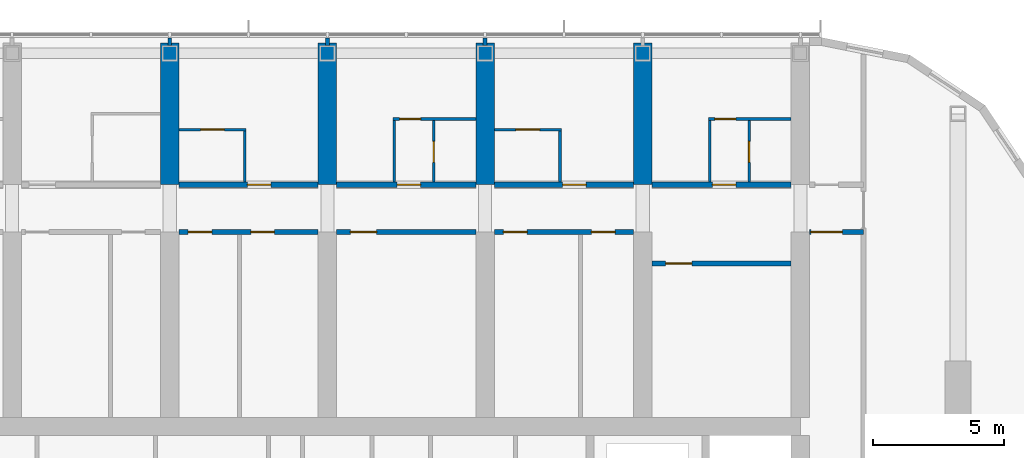
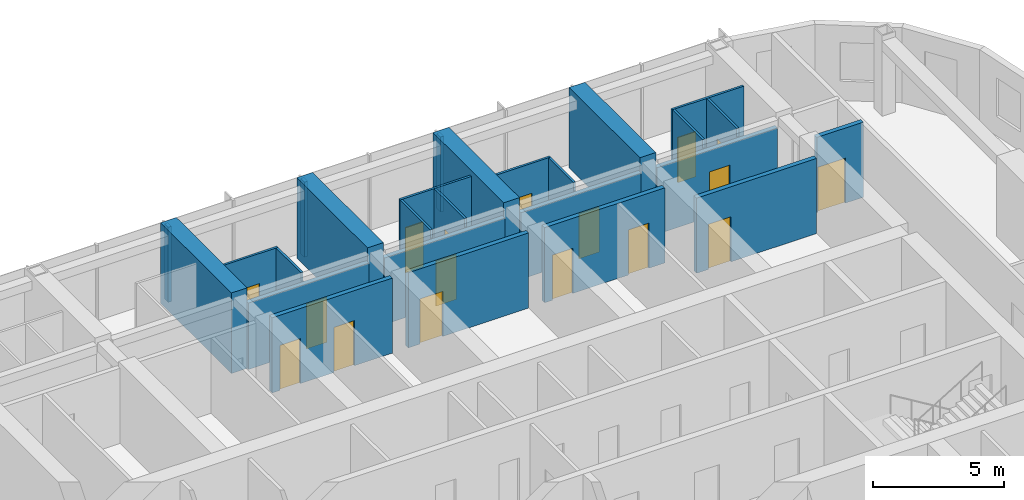
# One storey, part 17 of 23: 26 walls, 17 doors, 17 openings.
"""IFC4 building model written with IfcOpenShell, lengths in metres."""

from ifc_helpers import new_model, si_unit, direction, frame, frame_2d, origin, place, context, subcontext, project, spatial, polyline, rectangle, outline, extrude, material, layer, layer_set, type_object, element, fill, save


model = new_model("IFC4")

# Units and contexts
model_context = context("Model", 3, precision=1e-05, world=origin(), true_north=direction((0.0, 1.0)))
body_context = subcontext(model_context, "Body", "Model", "MODEL_VIEW")
ifc_project = project(units=[si_unit("LENGTHUNIT", "METRE"), si_unit("AREAUNIT", "SQUARE_METRE"), si_unit("VOLUMEUNIT", "CUBIC_METRE"), si_unit("PLANEANGLEUNIT", "RADIAN"), si_unit("MASSUNIT", "GRAM", prefix="KILO")], contexts=[model_context])

# Site, building, storey
site_placement = place(None, origin())
site = spatial("IfcSite", under=ifc_project, at=site_placement, CompositionType="ELEMENT")
building_placement = place(site_placement, origin())
building = spatial("IfcBuilding", under=site, at=building_placement, Name="Orbita Commons", CompositionType="ELEMENT")
storey_placement = place(building_placement, frame((0.0, 0.0, 224.050048828125)))
storey = spatial("IfcBuildingStorey", under=building, at=storey_placement, Name="L55", CompositionType="ELEMENT", Elevation=224.050048828125)

# Wall, opening, door
ifc_material_1 = material(Name="Concrete blockwork", Category="masonry")
ifc_layer_1 = layer(ifc_material_1, 0.199951171875)
ifc_layer_set_1 = layer_set([ifc_layer_1], Name="Concrete blockwork")
wall_type_1 = type_object("IfcWallType", Name="Corridor wall 200 blockwork", PredefinedType="SOLIDWALL", material=ifc_layer_set_1)
wall_1_placement = place(storey_placement, frame((42.35009765625, 47.39990234375, 0.0), z_axis=(0.0, 0.0, 1.0), x_axis=(1.0, 0.0, 0.0)))
wall_1 = element("IfcWall", 1, at=wall_1_placement, inside=storey, type_object=wall_type_1, Name="Corridor wall 200 blockwork L55", PredefinedType="SOLIDWALL", context=body_context, shape_type="SweptSolid", body=[
    extrude(outline(polyline([(0.0, 0.0), (5.2998046875, 0.0), (5.300048828125, 3.099853515625), (0.0, 3.099853515625), (0.0, 0.0)])), frame((0.0, 0.10009765625, 0.0), z_axis=(0.0, -1.0, 0.0), x_axis=(1.0, 0.0, 0.0)), (0.0, 0.0, 1.0), 0.199951171875),
])
opening_1_placement = place(wall_1_placement, frame((2.60009765625, 0.0, 0.0)))
opening_1 = element("IfcOpeningElement", 2, at=opening_1_placement, cuts=wall_1, Name="Opening D11", PredefinedType="OPENING", context=body_context, shape_type="SweptSolid", body=[
    extrude(rectangle(XDim=0.89990234375, YDim=2.10009765625, at=frame_2d((0.449951171875, 1.050048828125))), frame((0.0, 0.10986328125, 0.0), z_axis=(0.0, -1.0, 0.0), x_axis=(1.0, 0.0, 0.0)), (0.0, 0.0, 1.0), 0.219970703125),
])
ifc_material_2 = material(Name="Steel-faced fire door leaf", Category="steel")
door_type_1 = type_object("IfcDoorType", Name="Corridor door 20 min 900x2100", OperationType="SINGLE_SWING_LEFT", PredefinedType="DOOR", material=ifc_material_2)
door_1_placement = place(opening_1_placement, origin())
door_1 = element("IfcDoor", 3, at=door_1_placement, inside=storey, type_object=door_type_1, Name="Studio apartment with kitchenette L55-N08 door", OperationType="SINGLE_SWING_LEFT", OverallHeight=2.10009765625, OverallWidth=0.89990234375, PredefinedType="DOOR", context=body_context, shape_type="SweptSolid", body=[
    extrude(rectangle(XDim=0.89990234375, YDim=2.10009765625, at=frame_2d((0.449951171875, 1.050048828125))), frame((0.0, 0.02490234375, 0.0), z_axis=(0.0, -1.0, 0.0), x_axis=(1.0, 0.0, 0.0)), (0.0, 0.0, 1.0), 0.050048828125),
])
fill(opening_1, door_1)

wall_2_placement = place(storey_placement, frame((48.35009765625, 47.39990234375, 0.0), z_axis=(0.0, 0.0, 1.0), x_axis=(1.0, 0.0, 0.0)))
wall_2 = element("IfcWall", 4, at=wall_2_placement, inside=storey, type_object=wall_type_1, Name="Corridor wall 200 blockwork L55", PredefinedType="SOLIDWALL", context=body_context, shape_type="SweptSolid", body=[
    extrude(outline(polyline([(0.0, 0.0), (5.2998046875, 0.0), (5.300048828125, 3.099853515625), (0.0, 3.099853515625), (0.0, 0.0)])), frame((0.0, 0.10009765625, 0.0), z_axis=(0.0, -1.0, 0.0), x_axis=(1.0, 0.0, 0.0)), (0.0, 0.0, 1.0), 0.199951171875),
])
opening_2_placement = place(wall_2_placement, frame((2.300048828125, 0.0, 0.0)))
opening_2 = element("IfcOpeningElement", 5, at=opening_2_placement, cuts=wall_2, Name="Opening D11", PredefinedType="OPENING", context=body_context, shape_type="SweptSolid", body=[
    extrude(rectangle(XDim=0.89990234375, YDim=2.10009765625, at=frame_2d((0.449951171875, 1.050048828125))), frame((0.0, 0.10986328125, 0.0), z_axis=(0.0, -1.0, 0.0), x_axis=(1.0, 0.0, 0.0)), (0.0, 0.0, 1.0), 0.219970703125),
])
door_2_placement = place(opening_2_placement, origin())
door_2 = element("IfcDoor", 6, at=door_2_placement, inside=storey, type_object=door_type_1, Name="Studio flat L55-N10 entrance door", OperationType="SINGLE_SWING_LEFT", OverallHeight=2.10009765625, OverallWidth=0.89990234375, PredefinedType="DOOR", context=body_context, shape_type="SweptSolid", body=[
    extrude(rectangle(XDim=0.89990234375, YDim=2.10009765625, at=frame_2d((0.449951171875, 1.050048828125))), frame((0.0, 0.02490234375, 0.0), z_axis=(0.0, -1.0, 0.0), x_axis=(1.0, 0.0, 0.0)), (0.0, 0.0, 1.0), 0.050048828125),
])
fill(opening_2, door_2)

wall_3_placement = place(storey_placement, frame((54.35009765625, 47.39990234375, 0.0), z_axis=(0.0, 0.0, 1.0), x_axis=(1.0, 0.0, 0.0)))
wall_3 = element("IfcWall", 7, at=wall_3_placement, inside=storey, type_object=wall_type_1, Name="Corridor wall 200 blockwork L55", PredefinedType="SOLIDWALL", context=body_context, shape_type="SweptSolid", body=[
    extrude(outline(polyline([(0.0, 0.0), (5.2998046875, 0.0), (5.300048828125, 3.099853515625), (0.0, 3.099853515625), (0.0, 0.0)])), frame((0.0, 0.10009765625, 0.0), z_axis=(0.0, -1.0, 0.0), x_axis=(1.0, 0.0, 0.0)), (0.0, 0.0, 1.0), 0.199951171875),
])
opening_3_placement = place(wall_3_placement, frame((2.60009765625, 0.0, 0.0)))
opening_3 = element("IfcOpeningElement", 8, at=opening_3_placement, cuts=wall_3, Name="Opening D11", PredefinedType="OPENING", context=body_context, shape_type="SweptSolid", body=[
    extrude(rectangle(XDim=0.89990234375, YDim=2.10009765625, at=frame_2d((0.449951171875, 1.050048828125))), frame((0.0, 0.10986328125, 0.0), z_axis=(0.0, -1.0, 0.0), x_axis=(1.0, 0.0, 0.0)), (0.0, 0.0, 1.0), 0.219970703125),
])
door_3_placement = place(opening_3_placement, origin())
door_3 = element("IfcDoor", 9, at=door_3_placement, inside=storey, type_object=door_type_1, Name="Studio apartment with kitchenette L55-N12 door", OperationType="SINGLE_SWING_LEFT", OverallHeight=2.10009765625, OverallWidth=0.89990234375, PredefinedType="DOOR", context=body_context, shape_type="SweptSolid", body=[
    extrude(rectangle(XDim=0.89990234375, YDim=2.10009765625, at=frame_2d((0.449951171875, 1.050048828125))), frame((0.0, 0.02490234375, 0.0), z_axis=(0.0, -1.0, 0.0), x_axis=(1.0, 0.0, 0.0)), (0.0, 0.0, 1.0), 0.050048828125),
])
fill(opening_3, door_3)

wall_4_placement = place(storey_placement, frame((60.35009765625, 47.39990234375, 0.0), z_axis=(0.0, 0.0, 1.0), x_axis=(1.0, 0.0, 0.0)))
wall_4 = element("IfcWall", 10, at=wall_4_placement, inside=storey, type_object=wall_type_1, Name="Corridor wall 200 blockwork L55", PredefinedType="SOLIDWALL", context=body_context, shape_type="SweptSolid", body=[
    extrude(outline(polyline([(0.0, 0.0), (5.2998046875, 0.0), (5.300048828125, 3.099853515625), (0.0, 3.099853515625), (0.0, 0.0)])), frame((0.0, 0.10009765625, 0.0), z_axis=(0.0, -1.0, 0.0), x_axis=(1.0, 0.0, 0.0)), (0.0, 0.0, 1.0), 0.199951171875),
])
opening_4_placement = place(wall_4_placement, frame((2.300048828125, 0.0, 0.0)))
opening_4 = element("IfcOpeningElement", 11, at=opening_4_placement, cuts=wall_4, Name="Opening D11", PredefinedType="OPENING", context=body_context, shape_type="SweptSolid", body=[
    extrude(rectangle(XDim=0.89990234375, YDim=2.10009765625, at=frame_2d((0.449951171875, 1.050048828125))), frame((0.0, 0.10986328125, 0.0), z_axis=(0.0, -1.0, 0.0), x_axis=(1.0, 0.0, 0.0)), (0.0, 0.0, 1.0), 0.219970703125),
])
door_4_placement = place(opening_4_placement, origin())
door_4 = element("IfcDoor", 12, at=door_4_placement, inside=storey, type_object=door_type_1, Name="Studio flat L55-N14 entrance door", OperationType="SINGLE_SWING_LEFT", OverallHeight=2.10009765625, OverallWidth=0.89990234375, PredefinedType="DOOR", context=body_context, shape_type="SweptSolid", body=[
    extrude(rectangle(XDim=0.89990234375, YDim=2.10009765625, at=frame_2d((0.449951171875, 1.050048828125))), frame((0.0, 0.02490234375, 0.0), z_axis=(0.0, -1.0, 0.0), x_axis=(1.0, 0.0, 0.0)), (0.0, 0.0, 1.0), 0.050048828125),
])
fill(opening_4, door_4)

# Wall, openings, doors
ifc_material_3 = material(Name="Hollow concrete block 200", Category="concrete")
ifc_layer_2 = layer(ifc_material_3, 0.199951171875)
ifc_layer_set_2 = layer_set([ifc_layer_2], Name="Hollow concrete block 200")
wall_type_2 = type_object("IfcWallType", Name="Corridor wall 200 hollow concrete block", PredefinedType="SOLIDWALL", material=ifc_layer_set_2)
wall_5_placement = place(storey_placement, frame((42.35009765625, 45.60009765625, 0.0), z_axis=(0.0, 0.0, 1.0), x_axis=(1.0, 0.0, 0.0)))
wall_5 = element("IfcWall", 13, at=wall_5_placement, inside=storey, type_object=wall_type_2, Name="Corridor wall 200 hollow concrete block L55", PredefinedType="SOLIDWALL", context=body_context, shape_type="SweptSolid", body=[
    extrude(rectangle(XDim=5.2998046875, YDim=0.199951171875, at=frame_2d((2.64990234375, 0.0))), origin(), (0.0, 0.0, 1.0), 3.5),
])
opening_5_placement = place(wall_5_placement, frame((0.35009765625, 0.0, 0.0)))
opening_5 = element("IfcOpeningElement", 14, at=opening_5_placement, cuts=wall_5, Name="Opening D11", PredefinedType="OPENING", context=body_context, shape_type="SweptSolid", body=[
    extrude(rectangle(XDim=0.89990234375, YDim=2.10009765625, at=frame_2d((0.449951171875, 1.050048828125))), frame((0.0, 0.10986328125, 0.0), z_axis=(0.0, -1.0, 0.0), x_axis=(1.0, 0.0, 0.0)), (0.0, 0.0, 1.0), 0.219970703125),
])
opening_6_placement = place(wall_5_placement, frame((2.735107421875, 0.0, 0.0)))
opening_6 = element("IfcOpeningElement", 15, at=opening_6_placement, cuts=wall_5, Name="Opening D11", PredefinedType="OPENING", context=body_context, shape_type="SweptSolid", body=[
    extrude(rectangle(XDim=0.89990234375, YDim=2.10009765625, at=frame_2d((0.449951171875, 1.050048828125))), frame((0.0, 0.10986328125, 0.0), z_axis=(0.0, -1.0, 0.0), x_axis=(1.0, 0.0, 0.0)), (0.0, 0.0, 1.0), 0.219970703125),
])
door_5_placement = place(opening_5_placement, origin())
door_5 = element("IfcDoor", 16, at=door_5_placement, inside=storey, type_object=door_type_1, Name="Sprinkler valve room L55-BDN42n door", OperationType="SINGLE_SWING_LEFT", OverallHeight=2.10009765625, OverallWidth=0.89990234375, PredefinedType="DOOR", context=body_context, shape_type="SweptSolid", body=[
    extrude(rectangle(XDim=0.89990234375, YDim=2.10009765625, at=frame_2d((0.449951171875, 1.050048828125))), frame((0.0, 0.02490234375, 0.0), z_axis=(0.0, -1.0, 0.0), x_axis=(1.0, 0.0, 0.0)), (0.0, 0.0, 1.0), 0.050048828125),
])
fill(opening_5, door_5)
door_6_placement = place(opening_6_placement, origin())
door_6 = element("IfcDoor", 17, at=door_6_placement, inside=storey, type_object=door_type_1, Name="Parcel and post room L55-BDN42 door", OperationType="SINGLE_SWING_LEFT", OverallHeight=2.10009765625, OverallWidth=0.89990234375, PredefinedType="DOOR", context=body_context, shape_type="SweptSolid", body=[
    extrude(rectangle(XDim=0.89990234375, YDim=2.10009765625, at=frame_2d((0.449951171875, 1.050048828125))), frame((0.0, 0.02490234375, 0.0), z_axis=(0.0, -1.0, 0.0), x_axis=(1.0, 0.0, 0.0)), (0.0, 0.0, 1.0), 0.050048828125),
])
fill(opening_6, door_6)

# Wall, opening, door
wall_6_placement = place(storey_placement, frame((48.35009765625, 45.60009765625, 0.0), z_axis=(0.0, 0.0, 1.0), x_axis=(1.0, 0.0, 0.0)))
wall_6 = element("IfcWall", 18, at=wall_6_placement, inside=storey, type_object=wall_type_2, Name="Corridor wall 200 hollow concrete block L55", PredefinedType="SOLIDWALL", context=body_context, shape_type="SweptSolid", body=[
    extrude(rectangle(XDim=5.2998046875, YDim=0.199951171875, at=frame_2d((2.64990234375, 0.0))), origin(), (0.0, 0.0, 1.0), 3.5),
])
opening_7_placement = place(wall_6_placement, frame((0.52490234375, 0.0, 0.0)))
opening_7 = element("IfcOpeningElement", 19, at=opening_7_placement, cuts=wall_6, Name="Opening D06", PredefinedType="OPENING", context=body_context, shape_type="SweptSolid", body=[
    extrude(rectangle(XDim=1.0, YDim=2.10009765625, at=frame_2d((0.5, 1.050048828125))), frame((0.0, 0.10986328125, 0.0), z_axis=(0.0, -1.0, 0.0), x_axis=(1.0, 0.0, 0.0)), (0.0, 0.0, 1.0), 0.219970703125),
])
ifc_material_4 = material(Name="Steel-faced fire door leaf", Category="steel")
door_type_2 = type_object("IfcDoorType", Name="Corridor door 20 min 1000x2100", OperationType="SINGLE_SWING_LEFT", PredefinedType="DOOR", material=ifc_material_4)
door_7_placement = place(opening_7_placement, origin())
door_7 = element("IfcDoor", 20, at=door_7_placement, inside=storey, type_object=door_type_2, Name="Store L55-BDN48 door", OperationType="SINGLE_SWING_LEFT", OverallHeight=2.10009765625, OverallWidth=1.0, PredefinedType="DOOR", context=body_context, shape_type="SweptSolid", body=[
    extrude(rectangle(XDim=1.0, YDim=2.10009765625, at=frame_2d((0.5, 1.050048828125))), frame((0.0, 0.02490234375, 0.0), z_axis=(0.0, -1.0, 0.0), x_axis=(1.0, 0.0, 0.0)), (0.0, 0.0, 1.0), 0.050048828125),
])
fill(opening_7, door_7)

# Wall, openings, doors
wall_7_placement = place(storey_placement, frame((54.35009765625, 45.60009765625, 0.0), z_axis=(0.0, 0.0, 1.0), x_axis=(1.0, 0.0, 0.0)))
wall_7 = element("IfcWall", 21, at=wall_7_placement, inside=storey, type_object=wall_type_2, Name="Corridor wall 200 hollow concrete block L55", PredefinedType="SOLIDWALL", context=body_context, shape_type="SweptSolid", body=[
    extrude(rectangle(XDim=5.2998046875, YDim=0.199951171875, at=frame_2d((2.64990234375, 0.0))), origin(), (0.0, 0.0, 1.0), 3.5),
])
opening_8_placement = place(wall_7_placement, frame((0.35009765625, 0.0, 0.0)))
opening_8 = element("IfcOpeningElement", 22, at=opening_8_placement, cuts=wall_7, Name="Opening D11", PredefinedType="OPENING", context=body_context, shape_type="SweptSolid", body=[
    extrude(rectangle(XDim=0.89990234375, YDim=2.10009765625, at=frame_2d((0.449951171875, 1.050048828125))), frame((0.0, 0.10986328125, 0.0), z_axis=(0.0, -1.0, 0.0), x_axis=(1.0, 0.0, 0.0)), (0.0, 0.0, 1.0), 0.219970703125),
])
opening_9_placement = place(wall_7_placement, frame((3.699951171875, 0.0, 0.0)))
opening_9 = element("IfcOpeningElement", 23, at=opening_9_placement, cuts=wall_7, Name="Opening D11", PredefinedType="OPENING", context=body_context, shape_type="SweptSolid", body=[
    extrude(rectangle(XDim=0.89990234375, YDim=2.10009765625, at=frame_2d((0.449951171875, 1.050048828125))), frame((0.0, 0.10986328125, 0.0), z_axis=(0.0, -1.0, 0.0), x_axis=(1.0, 0.0, 0.0)), (0.0, 0.0, 1.0), 0.219970703125),
])
door_8_placement = place(opening_8_placement, origin())
door_8 = element("IfcDoor", 24, at=door_8_placement, inside=storey, type_object=door_type_1, Name="Linen store L55-BDN54 door", OperationType="SINGLE_SWING_LEFT", OverallHeight=2.10009765625, OverallWidth=0.89990234375, PredefinedType="DOOR", context=body_context, shape_type="SweptSolid", body=[
    extrude(rectangle(XDim=0.89990234375, YDim=2.10009765625, at=frame_2d((0.449951171875, 1.050048828125))), frame((0.0, 0.02490234375, 0.0), z_axis=(0.0, -1.0, 0.0), x_axis=(1.0, 0.0, 0.0)), (0.0, 0.0, 1.0), 0.050048828125),
])
fill(opening_8, door_8)
door_9_placement = place(opening_9_placement, origin())
door_9 = element("IfcDoor", 25, at=door_9_placement, inside=storey, type_object=door_type_1, Name="Water heater cupboard L55-BDN54n door", OperationType="SINGLE_SWING_LEFT", OverallHeight=2.10009765625, OverallWidth=0.89990234375, PredefinedType="DOOR", context=body_context, shape_type="SweptSolid", body=[
    extrude(rectangle(XDim=0.89990234375, YDim=2.10009765625, at=frame_2d((0.449951171875, 1.050048828125))), frame((0.0, 0.02490234375, 0.0), z_axis=(0.0, -1.0, 0.0), x_axis=(1.0, 0.0, 0.0)), (0.0, 0.0, 1.0), 0.050048828125),
])
fill(opening_9, door_9)

# Wall, opening, door
wall_8_placement = place(storey_placement, frame((66.35009765625, 45.60009765625, 0.0), z_axis=(0.0, 0.0, 1.0), x_axis=(1.0, 0.0, 0.0)))
wall_8 = element("IfcWall", 26, at=wall_8_placement, inside=storey, type_object=wall_type_2, Name="Corridor wall 200 hollow concrete block L55", PredefinedType="SOLIDWALL", context=body_context, shape_type="SweptSolid", body=[
    extrude(rectangle(XDim=2.0498046875, YDim=0.199951171875, at=frame_2d((1.02490234375, 0.0))), origin(), (0.0, 0.0, 1.0), 3.5),
])
opening_10_placement = place(wall_8_placement, frame((0.050048828125, 0.0, 0.0)))
opening_10 = element("IfcOpeningElement", 27, at=opening_10_placement, cuts=wall_8, Name="Opening D12", PredefinedType="OPENING", context=body_context, shape_type="SweptSolid", body=[
    extrude(rectangle(XDim=1.199951171875, YDim=2.10009765625, at=frame_2d((0.60009765625, 1.050048828125))), frame((0.0, 0.10986328125, 0.0), z_axis=(0.0, -1.0, 0.0), x_axis=(1.0, 0.0, 0.0)), (0.0, 0.0, 1.0), 0.219970703125),
])
ifc_material_5 = material(Name="Steel-faced fire door leaf", Category="steel")
door_type_3 = type_object("IfcDoorType", Name="Double corridor door 20 min 1200x2100", OperationType="DOUBLE_DOOR_SINGLE_SWING", PredefinedType="DOOR", material=ifc_material_5)
door_10_placement = place(opening_10_placement, origin())
door_10 = element("IfcDoor", 28, at=door_10_placement, inside=storey, type_object=door_type_3, Name="Cross corridor doors", OperationType="DOUBLE_DOOR_SINGLE_SWING", OverallHeight=2.10009765625, OverallWidth=1.199951171875, PredefinedType="DOOR", context=body_context, shape_type="SweptSolid", body=[
    extrude(rectangle(XDim=1.199951171875, YDim=2.10009765625, at=frame_2d((0.60009765625, 1.050048828125))), frame((0.0, 0.02490234375, 0.0), z_axis=(0.0, -1.0, 0.0), x_axis=(1.0, 0.0, 0.0)), (0.0, 0.0, 1.0), 0.050048828125),
])
fill(opening_10, door_10)

wall_9_placement = place(storey_placement, frame((60.35009765625, 44.39990234375, 0.0), z_axis=(0.0, 0.0, 1.0), x_axis=(1.0, 0.0, 0.0)))
wall_9 = element("IfcWall", 29, at=wall_9_placement, inside=storey, type_object=wall_type_2, Name="Corridor wall 200 hollow concrete block L55", PredefinedType="SOLIDWALL", context=body_context, shape_type="SweptSolid", body=[
    extrude(rectangle(XDim=5.2998046875, YDim=0.199951171875, at=frame_2d((2.64990234375, 0.0))), origin(), (0.0, 0.0, 1.0), 3.5),
])
opening_11_placement = place(wall_9_placement, frame((0.52490234375, 0.0, 0.0)))
opening_11 = element("IfcOpeningElement", 30, at=opening_11_placement, cuts=wall_9, Name="Opening D06", PredefinedType="OPENING", context=body_context, shape_type="SweptSolid", body=[
    extrude(rectangle(XDim=1.0, YDim=2.10009765625, at=frame_2d((0.5, 1.050048828125))), frame((0.0, 0.10986328125, 0.0), z_axis=(0.0, -1.0, 0.0), x_axis=(1.0, 0.0, 0.0)), (0.0, 0.0, 1.0), 0.219970703125),
])
door_11_placement = place(opening_11_placement, origin())
door_11 = element("IfcDoor", 31, at=door_11_placement, inside=storey, type_object=door_type_2, Name="Print and copy room L55-BDN60 door", OperationType="SINGLE_SWING_LEFT", OverallHeight=2.10009765625, OverallWidth=1.0, PredefinedType="DOOR", context=body_context, shape_type="SweptSolid", body=[
    extrude(rectangle(XDim=1.0, YDim=2.10009765625, at=frame_2d((0.5, 1.050048828125))), frame((0.0, 0.02490234375, 0.0), z_axis=(0.0, -1.0, 0.0), x_axis=(1.0, 0.0, 0.0)), (0.0, 0.0, 1.0), 0.050048828125),
])
fill(opening_11, door_11)

# Walls
ifc_material_6 = material(Name="Concrete C50/60", Category="concrete")
ifc_layer_3 = layer(ifc_material_6, 0.699951171875)
ifc_layer_set_3 = layer_set([ifc_layer_3], Name="Concrete C50/60")
wall_type_3 = type_object("IfcWallType", Name="Cross wall 700 C50/60", PredefinedType="SHEAR", material=ifc_layer_set_3)
for number, where, z_axis, x_axis, name in (
    (32, (42.0, 47.39990234375, 0.0), (0.0, 0.0, 1.0), (0.0, 1.0, 0.0), "Cross wall 8 north outer L55"),
    (33, (48.0, 47.39990234375, 0.0), (0.0, 0.0, 1.0), (0.0, 1.0, 0.0), "Cross wall 9 north outer L55"),
    (34, (54.0, 47.39990234375, 0.0), (0.0, 0.0, 1.0), (0.0, 1.0, 0.0), "Cross wall 10 north outer L55"),
    (35, (60.0, 47.39990234375, 0.0), (0.0, 0.0, 1.0), (0.0, 1.0, 0.0), "Cross wall 11 north outer L55"),
):
    element("IfcWall", number, at=place(storey_placement, frame(where, z_axis=z_axis, x_axis=x_axis)), inside=storey, type_object=wall_type_3, Name=name, PredefinedType="SHEAR", context=body_context, shape_type="SweptSolid", body=[
        extrude(rectangle(XDim=5.400146484375, YDim=0.699951171875, at=frame_2d((2.7001953125, 0.0))), origin(), (0.0, 0.0, 1.0), 3.75),
    ])

# Wall, opening, door
ifc_material_7 = material(Name="Moisture-resistant plasterboard on steel studs", Category="steel")
ifc_layer_4 = layer(ifc_material_7, 0.10009765625)
ifc_layer_set_4 = layer_set([ifc_layer_4], Name="Moisture-resistant plasterboard on steel studs")
wall_type_4 = type_object("IfcWallType", Name="En-suite partition 100", PredefinedType="PARTITIONING", material=ifc_layer_set_4)
wall_10_placement = place(storey_placement, frame((42.35009765625, 49.5, 0.0), z_axis=(0.0, 0.0, 1.0), x_axis=(1.0, 0.0, 0.0)))
wall_10 = element("IfcWall", 36, at=wall_10_placement, inside=storey, type_object=wall_type_4, Name="En-suite partition 100 L55", PredefinedType="PARTITIONING", context=body_context, shape_type="SweptSolid", body=[
    extrude(rectangle(XDim=2.5498046875, YDim=0.10009765625, at=frame_2d((1.27490234375, 0.0))), origin(), (0.0, 0.0, 1.0), 3.5),
])
opening_12_placement = place(wall_10_placement, frame((0.824951171875, 0.0, 0.0)))
opening_12 = element("IfcOpeningElement", 37, at=opening_12_placement, cuts=wall_10, Name="Opening D09", PredefinedType="OPENING", context=body_context, shape_type="SweptSolid", body=[
    extrude(rectangle(XDim=0.89990234375, YDim=2.10009765625, at=frame_2d((0.449951171875, 1.050048828125))), frame((0.0, 0.06005859375, 0.0), z_axis=(0.0, -1.0, 0.0), x_axis=(1.0, 0.0, 0.0)), (0.0, 0.0, 1.0), 0.1201171875),
])
ifc_material_8 = material(Name="Laminated timber door leaf", Category="wood")
door_type_4 = type_object("IfcDoorType", Name="En-suite door 900x2100", OperationType="SINGLE_SWING_RIGHT", PredefinedType="DOOR", material=ifc_material_8)
door_12_placement = place(opening_12_placement, origin())
door_12 = element("IfcDoor", 38, at=door_12_placement, inside=storey, type_object=door_type_4, Name="En-suite L55-N08 door", OperationType="SINGLE_SWING_RIGHT", OverallHeight=2.10009765625, OverallWidth=0.89990234375, PredefinedType="DOOR", context=body_context, shape_type="SweptSolid", body=[
    extrude(rectangle(XDim=0.89990234375, YDim=2.10009765625, at=frame_2d((0.449951171875, 1.050048828125))), frame((0.0, 0.02490234375, 0.0), z_axis=(0.0, -1.0, 0.0), x_axis=(1.0, 0.0, 0.0)), (0.0, 0.0, 1.0), 0.050048828125),
])
fill(opening_12, door_12)

# Wall
wall_11_placement = place(storey_placement, frame((44.85009765625, 49.449951171875, 0.0), z_axis=(0.0, 0.0, 1.0), x_axis=(0.0, -1.0, 0.0)))
element("IfcWall", 39, at=wall_11_placement, inside=storey, type_object=wall_type_4, Name="En-suite partition 100 L55", PredefinedType="PARTITIONING", context=body_context, shape_type="SweptSolid", body=[
    extrude(outline(polyline([(0.0, 0.0), (1.949951171875, 0.0), (1.949951171875, 3.099853515625), (1.902099609375, 3.099853515625), (1.89990234375, 3.5), (0.0, 3.5), (0.0, 0.0)])), frame((0.0, 0.050048828125, 0.0), z_axis=(0.0, -1.0, 0.0), x_axis=(1.0, 0.0, 0.0)), (0.0, 0.0, 1.0), 0.10009765625),
])

# Wall, opening, door
wall_12_placement = place(storey_placement, frame((50.5, 49.89990234375, 0.0), z_axis=(0.0, 0.0, 1.0), x_axis=(1.0, 0.0, 0.0)))
wall_12 = element("IfcWall", 40, at=wall_12_placement, inside=storey, type_object=wall_type_4, Name="En-suite partition 100 L55", PredefinedType="PARTITIONING", context=body_context, shape_type="SweptSolid", body=[
    extrude(rectangle(XDim=3.14990234375, YDim=0.10009765625, at=frame_2d((1.574951171875, 0.0))), origin(), (0.0, 0.0, 1.0), 3.5),
])
opening_13_placement = place(wall_12_placement, frame((0.25, 0.0, 0.0)))
opening_13 = element("IfcOpeningElement", 41, at=opening_13_placement, cuts=wall_12, Name="Opening D16", PredefinedType="OPENING", context=body_context, shape_type="SweptSolid", body=[
    extrude(rectangle(XDim=0.800048828125, YDim=2.10009765625, at=frame_2d((0.39990234375, 1.050048828125))), frame((0.0, 0.06005859375, 0.0), z_axis=(0.0, -1.0, 0.0), x_axis=(1.0, 0.0, 0.0)), (0.0, 0.0, 1.0), 0.1201171875),
])
ifc_material_9 = material(Name="Laminated timber door leaf", Category="wood")
door_type_5 = type_object("IfcDoorType", Name="En-suite door 800x2100", OperationType="SINGLE_SWING_RIGHT", PredefinedType="DOOR", material=ifc_material_9)
door_13_placement = place(opening_13_placement, origin())
door_13 = element("IfcDoor", 42, at=door_13_placement, inside=storey, type_object=door_type_5, Name="Studio flat L55-N10 door", OperationType="SINGLE_SWING_RIGHT", OverallHeight=2.10009765625, OverallWidth=0.800048828125, PredefinedType="DOOR", context=body_context, shape_type="SweptSolid", body=[
    extrude(rectangle(XDim=0.800048828125, YDim=2.10009765625, at=frame_2d((0.39990234375, 1.050048828125))), frame((0.0, 0.02490234375, 0.0), z_axis=(0.0, -1.0, 0.0), x_axis=(1.0, 0.0, 0.0)), (0.0, 0.0, 1.0), 0.050048828125),
])
fill(opening_13, door_13)

# Wall
wall_13_placement = place(storey_placement, frame((50.550048828125, 49.85009765625, 0.0), z_axis=(0.0, 0.0, 1.0), x_axis=(0.0, -1.0, 0.0)))
element("IfcWall", 43, at=wall_13_placement, inside=storey, type_object=wall_type_4, Name="En-suite partition 100 L55", PredefinedType="PARTITIONING", context=body_context, shape_type="SweptSolid", body=[
    extrude(outline(polyline([(0.0, 0.0), (2.35009765625, 0.0), (2.35009765625, 3.099853515625), (2.302001953125, 3.099853515625), (2.300048828125, 3.5), (0.0, 3.5), (0.0, 0.0)])), frame((0.0, 0.050048828125, 0.0), z_axis=(0.0, -1.0, 0.0), x_axis=(1.0, 0.0, 0.0)), (0.0, 0.0, 1.0), 0.10009765625),
])

# Wall, opening, door
wall_14_placement = place(storey_placement, frame((52.050048828125, 49.85009765625, 0.0), z_axis=(0.0, 0.0, 1.0), x_axis=(0.0, -1.0, 0.0)))
wall_14 = element("IfcWall", 44, at=wall_14_placement, inside=storey, type_object=wall_type_4, Name="En-suite partition 100 L55", PredefinedType="PARTITIONING", context=body_context, shape_type="SweptSolid", body=[
    extrude(outline(polyline([(0.0, 0.0), (2.35009765625, 0.0), (2.35009765625, 3.099853515625), (2.302001953125, 3.099853515625), (2.300048828125, 3.5), (0.0, 3.5), (0.0, 0.0)])), frame((0.0, 0.050048828125, 0.0), z_axis=(0.0, -1.0, 0.0), x_axis=(1.0, 0.0, 0.0)), (0.0, 0.0, 1.0), 0.10009765625),
])
opening_14_placement = place(wall_14_placement, frame((0.800048828125, 0.0, 0.0)))
opening_14 = element("IfcOpeningElement", 45, at=opening_14_placement, cuts=wall_14, Name="Opening D16", PredefinedType="OPENING", context=body_context, shape_type="SweptSolid", body=[
    extrude(rectangle(XDim=0.800048828125, YDim=2.10009765625, at=frame_2d((0.39990234375, 1.050048828125))), frame((0.0, 0.06005859375, 0.0), z_axis=(0.0, -1.0, 0.0), x_axis=(1.0, 0.0, 0.0)), (0.0, 0.0, 1.0), 0.1201171875),
])
door_14_placement = place(opening_14_placement, origin())
door_14 = element("IfcDoor", 46, at=door_14_placement, inside=storey, type_object=door_type_5, Name="Studio flat shower room L55-N10 door", OperationType="SINGLE_SWING_RIGHT", OverallHeight=2.10009765625, OverallWidth=0.800048828125, PredefinedType="DOOR", context=body_context, shape_type="SweptSolid", body=[
    extrude(rectangle(XDim=0.800048828125, YDim=2.10009765625, at=frame_2d((0.39990234375, 1.050048828125))), frame((0.0, 0.02490234375, 0.0), z_axis=(0.0, -1.0, 0.0), x_axis=(1.0, 0.0, 0.0)), (0.0, 0.0, 1.0), 0.050048828125),
])
fill(opening_14, door_14)

wall_15_placement = place(storey_placement, frame((54.35009765625, 49.5, 0.0), z_axis=(0.0, 0.0, 1.0), x_axis=(1.0, 0.0, 0.0)))
wall_15 = element("IfcWall", 47, at=wall_15_placement, inside=storey, type_object=wall_type_4, Name="En-suite partition 100 L55", PredefinedType="PARTITIONING", context=body_context, shape_type="SweptSolid", body=[
    extrude(rectangle(XDim=2.5498046875, YDim=0.10009765625, at=frame_2d((1.27490234375, 0.0))), origin(), (0.0, 0.0, 1.0), 3.5),
])
opening_15_placement = place(wall_15_placement, frame((0.824951171875, 0.0, 0.0)))
opening_15 = element("IfcOpeningElement", 48, at=opening_15_placement, cuts=wall_15, Name="Opening D09", PredefinedType="OPENING", context=body_context, shape_type="SweptSolid", body=[
    extrude(rectangle(XDim=0.89990234375, YDim=2.10009765625, at=frame_2d((0.449951171875, 1.050048828125))), frame((0.0, 0.06005859375, 0.0), z_axis=(0.0, -1.0, 0.0), x_axis=(1.0, 0.0, 0.0)), (0.0, 0.0, 1.0), 0.1201171875),
])
door_15_placement = place(opening_15_placement, origin())
door_15 = element("IfcDoor", 49, at=door_15_placement, inside=storey, type_object=door_type_4, Name="En-suite L55-N12 door", OperationType="SINGLE_SWING_RIGHT", OverallHeight=2.10009765625, OverallWidth=0.89990234375, PredefinedType="DOOR", context=body_context, shape_type="SweptSolid", body=[
    extrude(rectangle(XDim=0.89990234375, YDim=2.10009765625, at=frame_2d((0.449951171875, 1.050048828125))), frame((0.0, 0.02490234375, 0.0), z_axis=(0.0, -1.0, 0.0), x_axis=(1.0, 0.0, 0.0)), (0.0, 0.0, 1.0), 0.050048828125),
])
fill(opening_15, door_15)

# Wall
wall_16_placement = place(storey_placement, frame((56.85009765625, 49.449951171875, 0.0), z_axis=(0.0, 0.0, 1.0), x_axis=(0.0, -1.0, 0.0)))
element("IfcWall", 50, at=wall_16_placement, inside=storey, type_object=wall_type_4, Name="En-suite partition 100 L55", PredefinedType="PARTITIONING", context=body_context, shape_type="SweptSolid", body=[
    extrude(outline(polyline([(0.0, 0.0), (1.949951171875, 0.0), (1.949951171875, 3.099853515625), (1.902099609375, 3.099853515625), (1.89990234375, 3.5), (0.0, 3.5), (0.0, 0.0)])), frame((0.0, 0.050048828125, 0.0), z_axis=(0.0, -1.0, 0.0), x_axis=(1.0, 0.0, 0.0)), (0.0, 0.0, 1.0), 0.10009765625),
])

# Wall, opening, door
wall_17_placement = place(storey_placement, frame((62.5, 49.89990234375, 0.0), z_axis=(0.0, 0.0, 1.0), x_axis=(1.0, 0.0, 0.0)))
wall_17 = element("IfcWall", 51, at=wall_17_placement, inside=storey, type_object=wall_type_4, Name="En-suite partition 100 L55", PredefinedType="PARTITIONING", context=body_context, shape_type="SweptSolid", body=[
    extrude(rectangle(XDim=3.14990234375, YDim=0.10009765625, at=frame_2d((1.574951171875, 0.0))), origin(), (0.0, 0.0, 1.0), 3.5),
])
opening_16_placement = place(wall_17_placement, frame((0.25, 0.0, 0.0)))
opening_16 = element("IfcOpeningElement", 52, at=opening_16_placement, cuts=wall_17, Name="Opening D16", PredefinedType="OPENING", context=body_context, shape_type="SweptSolid", body=[
    extrude(rectangle(XDim=0.800048828125, YDim=2.10009765625, at=frame_2d((0.39990234375, 1.050048828125))), frame((0.0, 0.06005859375, 0.0), z_axis=(0.0, -1.0, 0.0), x_axis=(1.0, 0.0, 0.0)), (0.0, 0.0, 1.0), 0.1201171875),
])
door_16_placement = place(opening_16_placement, origin())
door_16 = element("IfcDoor", 53, at=door_16_placement, inside=storey, type_object=door_type_5, Name="Studio flat L55-N14 door", OperationType="SINGLE_SWING_RIGHT", OverallHeight=2.10009765625, OverallWidth=0.800048828125, PredefinedType="DOOR", context=body_context, shape_type="SweptSolid", body=[
    extrude(rectangle(XDim=0.800048828125, YDim=2.10009765625, at=frame_2d((0.39990234375, 1.050048828125))), frame((0.0, 0.02490234375, 0.0), z_axis=(0.0, -1.0, 0.0), x_axis=(1.0, 0.0, 0.0)), (0.0, 0.0, 1.0), 0.050048828125),
])
fill(opening_16, door_16)

# Wall
wall_18_placement = place(storey_placement, frame((62.550048828125, 49.85009765625, 0.0), z_axis=(0.0, 0.0, 1.0), x_axis=(0.0, -1.0, 0.0)))
element("IfcWall", 54, at=wall_18_placement, inside=storey, type_object=wall_type_4, Name="En-suite partition 100 L55", PredefinedType="PARTITIONING", context=body_context, shape_type="SweptSolid", body=[
    extrude(outline(polyline([(0.0, 0.0), (2.35009765625, 0.0), (2.35009765625, 3.099853515625), (2.302001953125, 3.099853515625), (2.300048828125, 3.5), (0.0, 3.5), (0.0, 0.0)])), frame((0.0, 0.050048828125, 0.0), z_axis=(0.0, -1.0, 0.0), x_axis=(1.0, 0.0, 0.0)), (0.0, 0.0, 1.0), 0.10009765625),
])

# Wall, opening, door
wall_19_placement = place(storey_placement, frame((64.050048828125, 49.85009765625, 0.0), z_axis=(0.0, 0.0, 1.0), x_axis=(0.0, -1.0, 0.0)))
wall_19 = element("IfcWall", 55, at=wall_19_placement, inside=storey, type_object=wall_type_4, Name="En-suite partition 100 L55", PredefinedType="PARTITIONING", context=body_context, shape_type="SweptSolid", body=[
    extrude(outline(polyline([(0.0, 0.0), (2.35009765625, 0.0), (2.35009765625, 3.099853515625), (2.302001953125, 3.099853515625), (2.300048828125, 3.5), (0.0, 3.5), (0.0, 0.0)])), frame((0.0, 0.050048828125, 0.0), z_axis=(0.0, -1.0, 0.0), x_axis=(1.0, 0.0, 0.0)), (0.0, 0.0, 1.0), 0.10009765625),
])
opening_17_placement = place(wall_19_placement, frame((0.800048828125, 0.0, 0.0)))
opening_17 = element("IfcOpeningElement", 56, at=opening_17_placement, cuts=wall_19, Name="Opening D16", PredefinedType="OPENING", context=body_context, shape_type="SweptSolid", body=[
    extrude(rectangle(XDim=0.800048828125, YDim=2.10009765625, at=frame_2d((0.39990234375, 1.050048828125))), frame((0.0, 0.06005859375, 0.0), z_axis=(0.0, -1.0, 0.0), x_axis=(1.0, 0.0, 0.0)), (0.0, 0.0, 1.0), 0.1201171875),
])
door_17_placement = place(opening_17_placement, origin())
door_17 = element("IfcDoor", 57, at=door_17_placement, inside=storey, type_object=door_type_5, Name="Studio flat shower room L55-N14 door", OperationType="SINGLE_SWING_RIGHT", OverallHeight=2.10009765625, OverallWidth=0.800048828125, PredefinedType="DOOR", context=body_context, shape_type="SweptSolid", body=[
    extrude(rectangle(XDim=0.800048828125, YDim=2.10009765625, at=frame_2d((0.39990234375, 1.050048828125))), frame((0.0, 0.02490234375, 0.0), z_axis=(0.0, -1.0, 0.0), x_axis=(1.0, 0.0, 0.0)), (0.0, 0.0, 1.0), 0.050048828125),
])
fill(opening_17, door_17)

# Walls
ifc_material_10 = material(Name="Gypsum plasterboard on steel studs", Category="steel")
ifc_layer_5 = layer(ifc_material_10, 0.14990234375)
ifc_layer_set_5 = layer_set([ifc_layer_5], Name="Gypsum plasterboard on steel studs")
wall_type_5 = type_object("IfcWallType", Name="Partition 150 plasterboard", PredefinedType="PARTITIONING", material=ifc_layer_set_5)
for number, where, z_axis, x_axis, name in (
    (58, (42.0, 52.699951171875, 0.0), (0.0, 0.0, 1.0), (0.0, 1.0, 0.0), "Partition 150 plasterboard L55"),
    (59, (48.0, 52.699951171875, 0.0), (0.0, 0.0, 1.0), (0.0, 1.0, 0.0), "Partition 150 plasterboard L55"),
    (60, (54.0, 52.699951171875, 0.0), (0.0, 0.0, 1.0), (0.0, 1.0, 0.0), "Partition 150 plasterboard L55"),
):
    element("IfcWall", number, at=place(storey_placement, frame(where, z_axis=z_axis, x_axis=x_axis)), inside=storey, type_object=wall_type_5, Name=name, PredefinedType="PARTITIONING", context=body_context, shape_type="SweptSolid", body=[
        extrude(rectangle(XDim=0.2900390625, YDim=0.14990234375, at=frame_2d((0.14501953125, 0.0))), origin(), (0.0, 0.0, 1.0), 3.5),
    ])

save(model, "model.ifc")
